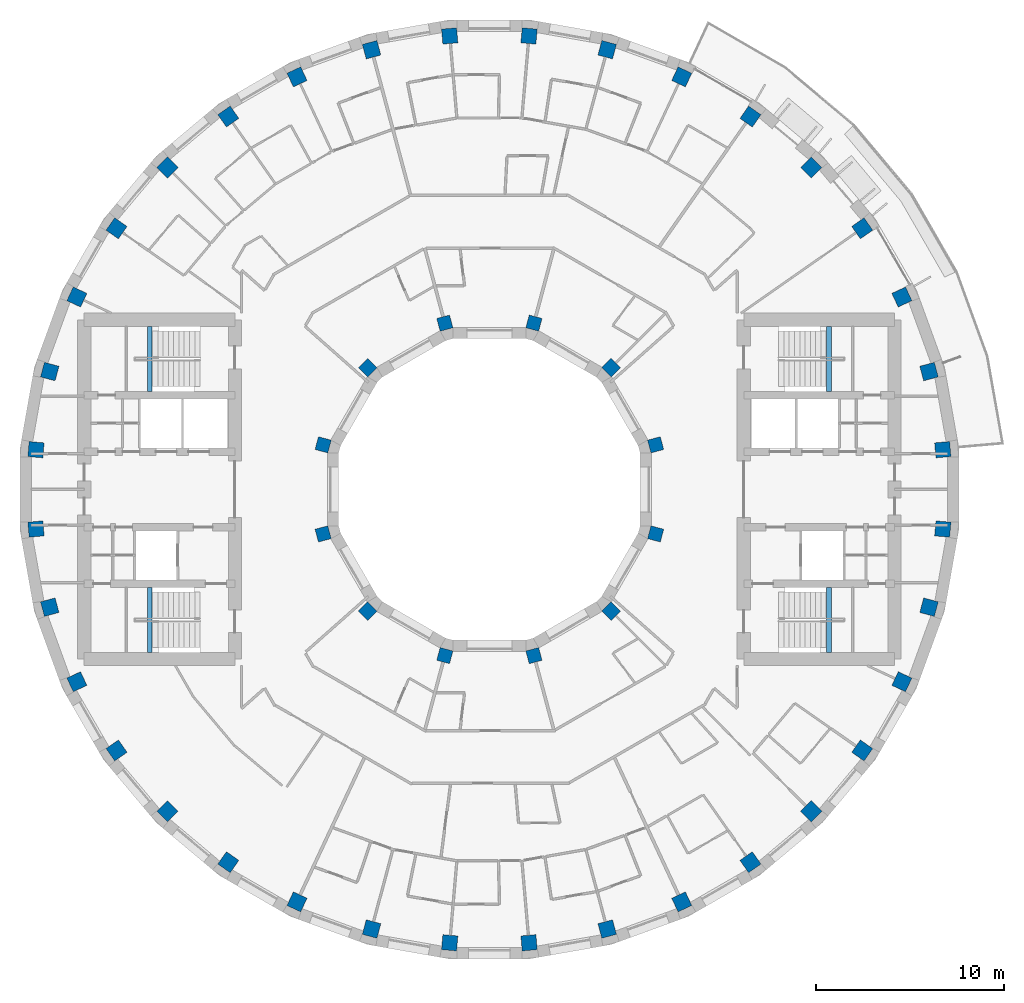
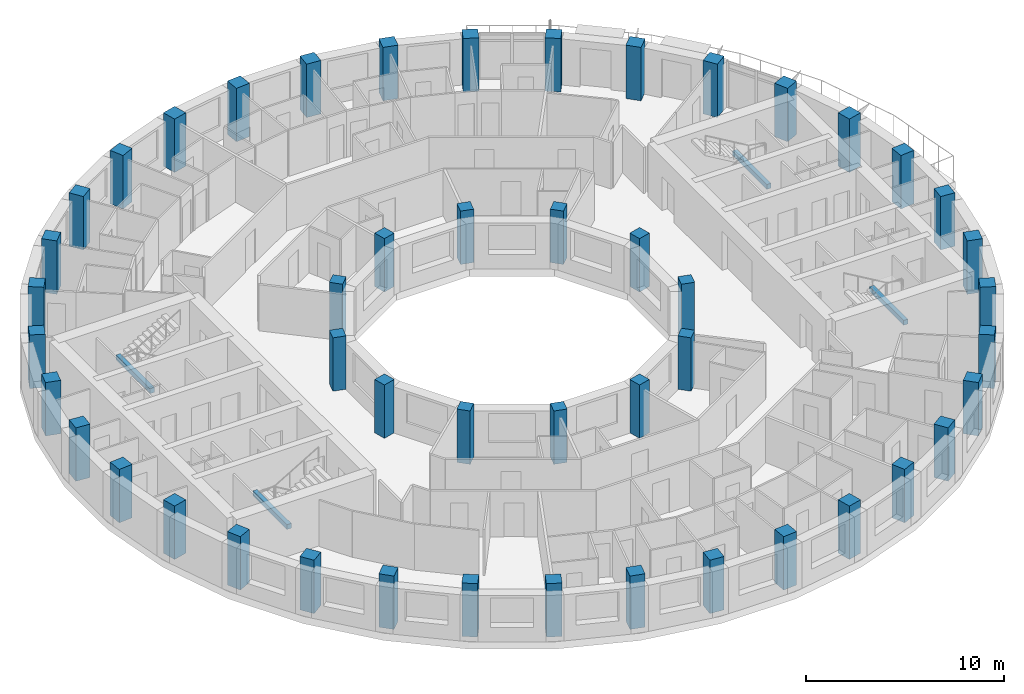
# One storey, part 1 of 15: 48 columns, 4 beams.
"""IFC4 building model written with IfcOpenShell, lengths in metres."""

import ifcopenshell
import ifcopenshell.guid

model = None  # the IFC model being written
_history = None  # IfcOwnerHistory: only IFC2X3 demands one
_inside = {}  # id of a spatial element -> (the spatial element, [elements in it])
_under = {}  # id of a project, library or spatial element -> (it, [spatial elements below it])
_declared = {}  # id of a project -> (the project, [libraries it declares])
_typed = {}  # id of a type object -> (the type object, [elements of that type])
_made_of = {}  # id of a material, layer set ... -> (it, [elements and type objects made of it])


def new_model(schema):
    """Start an empty IFC model of exactly this schema.

    Asked for "IFC4X3", IfcOpenShell would pick the latest addendum, in which some entities
    have other attributes; the version numbers below select the first issue.
    IFC2X3 requires an IfcOwnerHistory on every rooted entity: one is made here for all.
    """
    global model, _history
    if schema == "IFC4X3":
        model = ifcopenshell.file(schema_version=(4, 3, 0, 0))
    else:
        model = ifcopenshell.file(schema=schema)
    _inside.clear()
    _under.clear()
    _declared.clear()
    _typed.clear()
    _made_of.clear()
    _history = None
    if model.schema == "IFC2X3":
        org = make("IfcOrganization", Name="unknown")
        user = make(
            "IfcPersonAndOrganization",
            ThePerson=make("IfcPerson", FamilyName="unknown"),
            TheOrganization=org,
        )
        app = make(
            "IfcApplication",
            ApplicationDeveloper=org,
            Version="unknown",
            ApplicationFullName="unknown",
            ApplicationIdentifier="unknown",
        )
        _history = make(
            "IfcOwnerHistory",
            OwningUser=user,
            OwningApplication=app,
            ChangeAction="ADDED",
            CreationDate=0,
        )
    return model


def make(cls, **values):
    """One entity of the class cls with the attributes given. An attribute that is None is left unset."""
    return model.create_entity(
        cls, **{name: value for name, value in values.items() if value is not None}
    )


def rooted(cls, **values):
    """An entity with a GlobalId (a new one), such as an element, a storey or a relation."""
    return make(cls, GlobalId=ifcopenshell.guid.new(), OwnerHistory=_history, **values)


def si_unit(unit_type, name, prefix=None):
    """IfcSIUnit, for example si_unit("LENGTHUNIT", "METRE", prefix="MILLI")."""
    return make("IfcSIUnit", UnitType=unit_type, Prefix=prefix, Name=name)


def assignment(units):
    """IfcUnitAssignment: the units of a project."""
    return None if units is None else make("IfcUnitAssignment", Units=units)


def point(xyz):
    """IfcCartesianPoint."""
    return None if xyz is None else make("IfcCartesianPoint", Coordinates=xyz)


def direction(xyz):
    """IfcDirection."""
    return None if xyz is None else make("IfcDirection", DirectionRatios=xyz)


def frame(location, z_axis=None, x_axis=None):
    """IfcAxis2Placement3D, a coordinate frame: its origin and axes. An axis left out is left unset."""
    return make(
        "IfcAxis2Placement3D",
        Location=point(location),
        Axis=direction(z_axis),
        RefDirection=direction(x_axis),
    )


def frame_2d(location, x_axis=None):
    """IfcAxis2Placement2D, a coordinate frame in the plane: its origin and x axis."""
    return make(
        "IfcAxis2Placement2D", Location=point(location), RefDirection=direction(x_axis)
    )


def origin():
    """The frame at (0, 0, 0) with its axes left unset."""
    return frame((0.0, 0.0, 0.0))


def origin_2d():
    """The frame at (0, 0) in the plane with its x axis left unset."""
    return frame_2d((0.0, 0.0))


def place(relative_to, where):
    """IfcLocalPlacement: puts the frame where relative to a parent placement (None: the world)."""
    return make(
        "IfcLocalPlacement", PlacementRelTo=relative_to, RelativePlacement=where
    )


def context(
    kind, dimensions, precision=None, world=None, true_north=None, identifier=None
):
    """IfcGeometricRepresentationContext, for example the 3D "Model" context."""
    return make(
        "IfcGeometricRepresentationContext",
        ContextIdentifier=identifier,
        ContextType=kind,
        CoordinateSpaceDimension=dimensions,
        Precision=precision,
        WorldCoordinateSystem=world,
        TrueNorth=true_north,
    )


def subcontext(parent, identifier, kind, view, scale=None):
    """IfcGeometricRepresentationSubContext, for example "Body" below "Model"."""
    return make(
        "IfcGeometricRepresentationSubContext",
        ContextIdentifier=identifier,
        ContextType=kind,
        ParentContext=parent,
        TargetScale=scale,
        TargetView=view,
    )


def project(units=None, contexts=None):
    """IfcProject with its units and contexts."""
    return rooted(
        "IfcProject",
        Name="project",
        RepresentationContexts=contexts,
        UnitsInContext=assignment(units),
    )


def spatial(cls, under=None, at=None, **own):
    """A site, building, storey or space (cls), placed at a placement, below another one or the project."""
    s = rooted(cls, ObjectPlacement=at, **own)
    if under is not None:
        _under.setdefault(under.id(), (under, []))[1].append(s)
    return s


def profile(cls, at=None, kind="AREA", **sizes):
    """A parametric profile (cls). Its sizes go by their IFC names, for example OverallWidth=200.0."""
    return make(cls, ProfileType=kind, Position=at, **sizes)


def rectangle(**sizes):
    """IfcRectangleProfileDef."""
    return profile("IfcRectangleProfileDef", **sizes)


def extrude(swept, where, along, depth):
    """IfcExtrudedAreaSolid: the profile swept, set in the frame where, extruded along a direction by depth."""
    return make(
        "IfcExtrudedAreaSolid",
        SweptArea=swept,
        Position=where,
        ExtrudedDirection=direction(along),
        Depth=depth,
    )


def shape(context_of_items, identifier, shape_type, items):
    """IfcShapeRepresentation: the items that make up one representation, for example the "Body"."""
    return make(
        "IfcShapeRepresentation",
        ContextOfItems=context_of_items,
        RepresentationIdentifier=identifier,
        RepresentationType=shape_type,
        Items=items,
    )


def material(Name=None, Category=None):
    """IfcMaterial."""
    return make("IfcMaterial", Name=Name, Category=Category)


def material_profile(
    of_material, cross_section, Name=None, Category=None, Priority=None
):
    """IfcMaterialProfile: a cross section and its material."""
    return make(
        "IfcMaterialProfile",
        Name=Name,
        Material=of_material,
        Profile=cross_section,
        Priority=Priority,
        Category=Category,
    )


def profile_set(profiles, Name=None, composite=None):
    """IfcMaterialProfileSet."""
    return make(
        "IfcMaterialProfileSet",
        Name=Name,
        MaterialProfiles=profiles,
        CompositeProfile=composite,
    )


def made_of(thing, what):
    """Note that an element or type object is made of a material, layer set ...; save() writes the relation."""
    if what is not None:
        _made_of.setdefault(what.id(), (what, []))[1].append(thing)
    return thing


def type_object(cls, material=None, **own):
    """A type object (cls), such as IfcWallType, which elements share."""
    return made_of(rooted(cls, **own), material)


def element(
    cls,
    number,
    at=None,
    inside=None,
    cuts=None,
    type_object=None,
    material=None,
    context=None,
    identifier="Body",
    shape_type=None,
    held_by="IfcProductDefinitionShape",
    body=None,
    shapes=None,
    **own,
):
    """One element of the class cls, such as IfcWall. Its Tag is "e" and its number.

    at: its placement. inside: the storey or other place that contains it. cuts: it is an
    opening in that element (IfcRelVoidsElement). A single representation is given by context,
    identifier, shape_type and body (its items); several are given by shapes. held_by: the class
    of the entity that holds the representations. save() writes the other relations.
    """
    e = rooted(cls, Tag="e%d" % number, ObjectPlacement=at, **own)
    if body is not None:
        shapes = [shape(context, identifier, shape_type, body)]
    if shapes is not None:
        e.Representation = make(held_by, Representations=shapes)
    if inside is not None:
        _inside.setdefault(inside.id(), (inside, []))[1].append(e)
    if cuts is not None:
        rooted(
            "IfcRelVoidsElement", RelatingBuildingElement=cuts, RelatedOpeningElement=e
        )
    if type_object is not None:
        _typed.setdefault(type_object.id(), (type_object, []))[1].append(e)
    return made_of(e, material)


def aggregate(whole, parts):
    """IfcRelAggregates: a whole, such as a stair, and the parts it consists of."""
    return rooted("IfcRelAggregates", RelatingObject=whole, RelatedObjects=parts)


def save(model, path):
    """Write the relations noted so far, then the file.

    IfcRelAggregates (storeys below a building ...), IfcRelContainedInSpatialStructure (elements
    in a storey), IfcRelDefinesByType, IfcRelAssociatesMaterial and IfcRelDeclares: one each for
    every whole, place, type object, material and project.
    """
    for whole, parts in _under.values():
        aggregate(whole, parts)
    for where, things in _inside.values():
        rooted(
            "IfcRelContainedInSpatialStructure",
            RelatedElements=things,
            RelatingStructure=where,
        )
    for kind, things in _typed.values():
        rooted("IfcRelDefinesByType", RelatedObjects=things, RelatingType=kind)
    for what, things in _made_of.values():
        rooted("IfcRelAssociatesMaterial", RelatedObjects=things, RelatingMaterial=what)
    for by, libraries in _declared.values():
        rooted("IfcRelDeclares", RelatingContext=by, RelatedDefinitions=libraries)
    model.write(path)


model = new_model("IFC4")

# Units and contexts
model_context = context("Model", 3, precision=1e-05, world=origin(), true_north=direction((0.0, 1.0)))
body_context = subcontext(model_context, "Body", "Model", "MODEL_VIEW")
ifc_project = project(units=[si_unit("LENGTHUNIT", "METRE"), si_unit("AREAUNIT", "SQUARE_METRE"), si_unit("VOLUMEUNIT", "CUBIC_METRE"), si_unit("PLANEANGLEUNIT", "RADIAN"), si_unit("MASSUNIT", "GRAM", prefix="KILO")], contexts=[model_context])

# Site, building, storey
site_placement = place(None, origin())
site = spatial("IfcSite", under=ifc_project, at=site_placement, CompositionType="ELEMENT")
building_placement = place(site_placement, origin())
building = spatial("IfcBuilding", under=site, at=building_placement, Name="Saqina Gate Tower", CompositionType="ELEMENT")
storey_placement = place(building_placement, frame((0.0, 0.0, 190.5)))
storey = spatial("IfcBuildingStorey", under=building, at=storey_placement, Name="L54", CompositionType="ELEMENT", Elevation=190.5)

# Columns
ifc_material_1 = material(Name="Concrete C60/75", Category="concrete")
ifc_material_profile_1 = material_profile(ifc_material_1, rectangle(XDim=0.699951171875, YDim=0.699951171875, at=origin_2d()), Name="RC 700x700")
ifc_profile_set_1 = profile_set([ifc_material_profile_1], Name="Concrete C60/75")
column_type_1 = type_object("IfcColumnType", Name="STR-COL-IN-C", PredefinedType="COLUMN", material=ifc_profile_set_1)
for number, where, z_axis, x_axis, name in (
    (1, (8.821044921875, 2.363525390625, 0.0), (0.0, 0.0, 1.0), (0.965925826289, 0.258819045103, 0.0), "L54-ICL01"),
    (2, (6.45751953125, 6.45751953125, 0.0), (0.0, 0.0, 1.0), (0.707106781187, 0.707106781187, 0.0), "L54-ICL02"),
    (3, (2.363525390625, 8.821044921875, 0.0), (0.0, 0.0, 1.0), (0.258819045103, 0.965925826289, 0.0), "L54-ICL03"),
    (4, (-2.363525390625, 8.821044921875, 0.0), (0.0, 0.0, 1.0), (-0.258819045103, 0.965925826289, 0.0), "L54-ICL04"),
    (5, (-6.45751953125, 6.45751953125, 0.0), (0.0, 0.0, 1.0), (-0.707106781187, 0.707106781187, 0.0), "L54-ICL05"),
    (6, (-8.821044921875, 2.363525390625, 0.0), (0.0, 0.0, 1.0), (-0.965925826289, 0.258819045103, 0.0), "L54-ICL06"),
    (7, (-8.821044921875, -2.363525390625, 0.0), (0.0, 0.0, 1.0), (-0.965925826289, -0.258819045103, 0.0), "L54-ICL07"),
    (8, (-6.45751953125, -6.45751953125, 0.0), (0.0, 0.0, 1.0), (-0.707106781187, -0.707106781187, 0.0), "L54-ICL08"),
    (9, (-2.363525390625, -8.821044921875, 0.0), (0.0, 0.0, 1.0), (-0.258819045103, -0.965925826289, 0.0), "L54-ICL09"),
    (10, (2.363525390625, -8.821044921875, 0.0), (0.0, 0.0, 1.0), (0.258819045103, -0.965925826289, 0.0), "L54-ICL10"),
    (11, (6.45751953125, -6.45751953125, 0.0), (0.0, 0.0, 1.0), (0.707106781187, -0.707106781187, 0.0), "L54-ICL11"),
    (12, (8.821044921875, -2.363525390625, 0.0), (0.0, 0.0, 1.0), (0.965925826289, -0.258819045103, 0.0), "L54-ICL12"),
):
    element("IfcColumn", number, at=place(storey_placement, frame(where, z_axis=z_axis, x_axis=x_axis)), inside=storey, type_object=column_type_1, Name=name, PredefinedType="COLUMN", context=body_context, shape_type="SweptSolid", body=[
        extrude(rectangle(XDim=0.699951171875, YDim=0.699951171875, at=origin_2d()), origin(), (0.0, 0.0, 1.0), 3.300048828125),
    ])
ifc_material_2 = material(Name="Concrete C60/75", Category="concrete")
ifc_material_profile_2 = material_profile(ifc_material_2, rectangle(XDim=0.800048828125, YDim=0.800048828125, at=origin_2d()), Name="RC 800x800")
ifc_profile_set_2 = profile_set([ifc_material_profile_2], Name="Concrete C60/75")
column_type_2 = type_object("IfcColumnType", Name="STR-COL-OUT-C", PredefinedType="COLUMN", material=ifc_profile_set_2)
for number, where, z_axis, x_axis, name in (
    (13, (24.05810546875, 2.104736328125, 0.0), (0.0, 0.0, 1.0), (0.996194698092, 0.087155742748, 0.0), "L54-COL01"),
    (14, (23.3271484375, 6.25048828125, 0.0), (0.0, 0.0, 1.0), (0.965925826289, 0.258819045103, 0.0), "L54-COL02"),
    (15, (21.887451171875, 10.206298828125, 0.0), (0.0, 0.0, 1.0), (0.906307787037, 0.422618261741, 0.0), "L54-COL03"),
    (16, (19.782470703125, 13.851806640625, 0.0), (0.0, 0.0, 1.0), (0.819152044289, 0.573576436351, 0.0), "L54-COL04"),
    (17, (17.07666015625, 17.07666015625, 0.0), (0.0, 0.0, 1.0), (0.707106781187, 0.707106781187, 0.0), "L54-COL05"),
    (18, (13.851806640625, 19.782470703125, 0.0), (0.0, 0.0, 1.0), (0.573576436351, 0.819152044289, 0.0), "L54-COL06"),
    (19, (10.206298828125, 21.887451171875, 0.0), (0.0, 0.0, 1.0), (0.422618261741, 0.906307787037, 0.0), "L54-COL07"),
    (20, (6.25048828125, 23.3271484375, 0.0), (0.0, 0.0, 1.0), (0.258819045103, 0.965925826289, 0.0), "L54-COL08"),
    (21, (2.104736328125, 24.05810546875, 0.0), (0.0, 0.0, 1.0), (0.087155742748, 0.996194698092, 0.0), "L54-COL09"),
    (22, (-2.104736328125, 24.05810546875, 0.0), (0.0, 0.0, 1.0), (-0.087155742748, 0.996194698092, 0.0), "L54-COL10"),
    (23, (-6.25048828125, 23.3271484375, 0.0), (0.0, 0.0, 1.0), (-0.258819045103, 0.965925826289, 0.0), "L54-COL11"),
    (24, (-10.206298828125, 21.887451171875, 0.0), (0.0, 0.0, 1.0), (-0.422618261741, 0.906307787037, 0.0), "L54-COL12"),
    (25, (-13.851806640625, 19.782470703125, 0.0), (0.0, 0.0, 1.0), (-0.573576436351, 0.819152044289, 0.0), "L54-COL13"),
    (26, (-17.07666015625, 17.07666015625, 0.0), (0.0, 0.0, 1.0), (-0.707106781187, 0.707106781187, 0.0), "L54-COL14"),
    (27, (-19.782470703125, 13.851806640625, 0.0), (0.0, 0.0, 1.0), (-0.819152044289, 0.573576436351, 0.0), "L54-COL15"),
    (28, (-21.887451171875, 10.206298828125, 0.0), (0.0, 0.0, 1.0), (-0.906307787037, 0.422618261741, 0.0), "L54-COL16"),
    (29, (-23.3271484375, 6.25048828125, 0.0), (0.0, 0.0, 1.0), (-0.965925826289, 0.258819045103, 0.0), "L54-COL17"),
    (30, (-24.05810546875, 2.104736328125, 0.0), (0.0, 0.0, 1.0), (-0.996194698092, 0.087155742748, 0.0), "L54-COL18"),
    (31, (-24.05810546875, -2.104736328125, 0.0), (0.0, 0.0, 1.0), (-0.996194698092, -0.087155742748, 0.0), "L54-COL19"),
    (32, (-23.3271484375, -6.25048828125, 0.0), (0.0, 0.0, 1.0), (-0.965925826289, -0.258819045103, 0.0), "L54-COL20"),
    (33, (-21.887451171875, -10.206298828125, 0.0), (0.0, 0.0, 1.0), (-0.906307787037, -0.422618261741, 0.0), "L54-COL21"),
    (34, (-19.782470703125, -13.851806640625, 0.0), (0.0, 0.0, 1.0), (-0.819152044289, -0.573576436351, 0.0), "L54-COL22"),
    (35, (-17.07666015625, -17.07666015625, 0.0), (0.0, 0.0, 1.0), (-0.707106781187, -0.707106781187, 0.0), "L54-COL23"),
    (36, (-13.851806640625, -19.782470703125, 0.0), (0.0, 0.0, 1.0), (-0.573576436351, -0.819152044289, 0.0), "L54-COL24"),
    (37, (-10.206298828125, -21.887451171875, 0.0), (0.0, 0.0, 1.0), (-0.422618261741, -0.906307787037, 0.0), "L54-COL25"),
    (38, (-6.25048828125, -23.3271484375, 0.0), (0.0, 0.0, 1.0), (-0.258819045103, -0.965925826289, 0.0), "L54-COL26"),
    (39, (-2.104736328125, -24.05810546875, 0.0), (0.0, 0.0, 1.0), (-0.087155742748, -0.996194698092, 0.0), "L54-COL27"),
    (40, (2.104736328125, -24.05810546875, 0.0), (0.0, 0.0, 1.0), (0.087155742748, -0.996194698092, 0.0), "L54-COL28"),
    (41, (6.25048828125, -23.3271484375, 0.0), (0.0, 0.0, 1.0), (0.258819045103, -0.965925826289, 0.0), "L54-COL29"),
    (42, (10.206298828125, -21.887451171875, 0.0), (0.0, 0.0, 1.0), (0.422618261741, -0.906307787037, 0.0), "L54-COL30"),
    (43, (13.851806640625, -19.782470703125, 0.0), (0.0, 0.0, 1.0), (0.573576436351, -0.819152044289, 0.0), "L54-COL31"),
    (44, (17.07666015625, -17.07666015625, 0.0), (0.0, 0.0, 1.0), (0.707106781187, -0.707106781187, 0.0), "L54-COL32"),
    (45, (19.782470703125, -13.851806640625, 0.0), (0.0, 0.0, 1.0), (0.819152044289, -0.573576436351, 0.0), "L54-COL33"),
    (46, (21.887451171875, -10.206298828125, 0.0), (0.0, 0.0, 1.0), (0.906307787037, -0.422618261741, 0.0), "L54-COL34"),
    (47, (23.3271484375, -6.25048828125, 0.0), (0.0, 0.0, 1.0), (0.965925826289, -0.258819045103, 0.0), "L54-COL35"),
    (48, (24.05810546875, -2.104736328125, 0.0), (0.0, 0.0, 1.0), (0.996194698092, -0.087155742748, 0.0), "L54-COL36"),
):
    element("IfcColumn", number, at=place(storey_placement, frame(where, z_axis=z_axis, x_axis=x_axis)), inside=storey, type_object=column_type_2, Name=name, PredefinedType="COLUMN", context=body_context, shape_type="SweptSolid", body=[
        extrude(rectangle(XDim=0.800048828125, YDim=0.800048828125, at=origin_2d()), origin(), (0.0, 0.0, 1.0), 3.300048828125),
    ])

# Beams
ifc_material_3 = material(Name="Concrete C40/50", Category="concrete")
ifc_material_profile_3 = material_profile(ifc_material_3, rectangle(XDim=0.25, YDim=0.300048828125, at=origin_2d()), Name="STAIR LANDING BEAM")
ifc_profile_set_3 = profile_set([ifc_material_profile_3], Name="Concrete C40/50")
beam_type = type_object("IfcBeamType", Name="STAIR LANDING BEAM", PredefinedType="BEAM", material=ifc_profile_set_3)
for number, where, z_axis, x_axis, name in (
    (49, (18.02001953125, 5.199951171875, 1.25), (0.0, 1.0, 0.0), (-1.0, 0.0, 0.0), "EXIT STAIR 1 LANDING BEAM"),
    (50, (18.02001953125, -8.64990234375, 1.25), (0.0, 1.0, 0.0), (-1.0, 0.0, 0.0), "EXIT STAIR 2 LANDING BEAM"),
    (51, (-18.02001953125, 5.199951171875, 1.25), (0.0, 1.0, 0.0), (-1.0, 0.0, 0.0), "EXIT STAIR 3 LANDING BEAM"),
    (52, (-18.02001953125, -8.64990234375, 1.25), (0.0, 1.0, 0.0), (-1.0, 0.0, 0.0), "EXIT STAIR 4 LANDING BEAM"),
):
    element("IfcBeam", number, at=place(storey_placement, frame(where, z_axis=z_axis, x_axis=x_axis)), inside=storey, type_object=beam_type, Name=name, PredefinedType="BEAM", context=body_context, shape_type="SweptSolid", body=[
        extrude(rectangle(XDim=0.25, YDim=0.300048828125, at=origin_2d()), origin(), (0.0, 0.0, 1.0), 3.449951171875),
    ])

save(model, "model.ifc")
